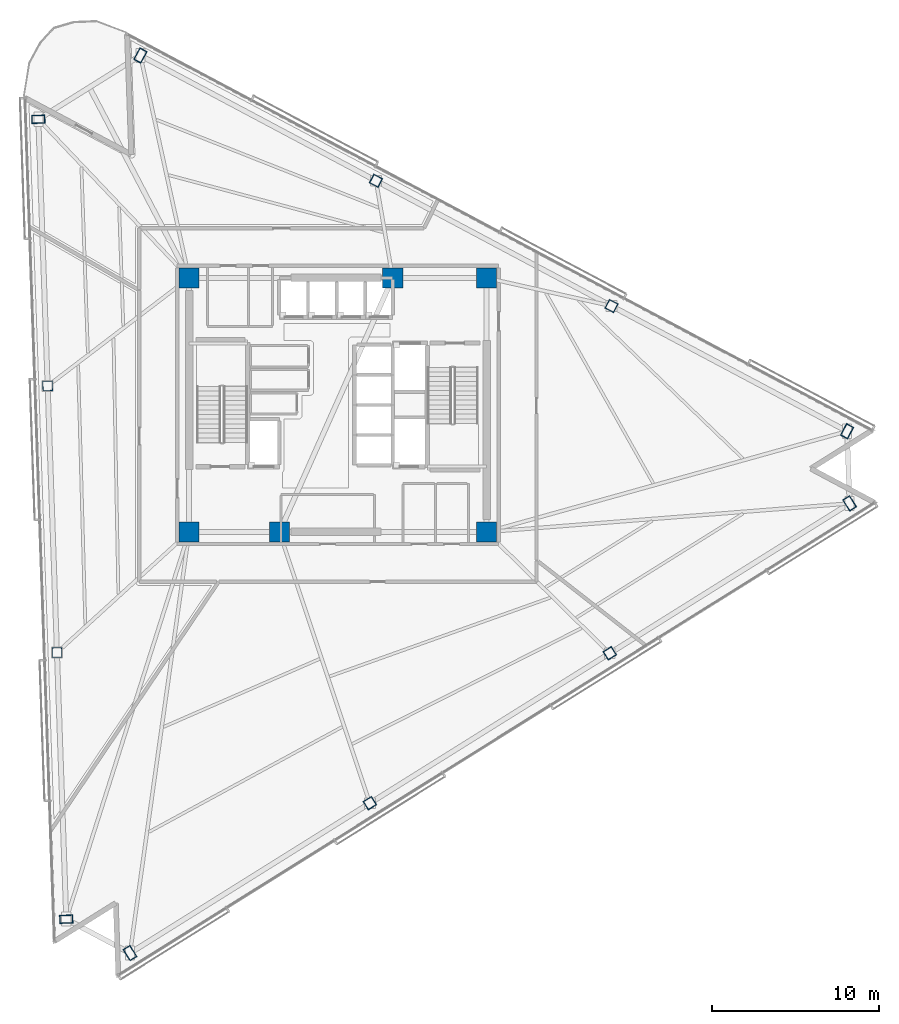
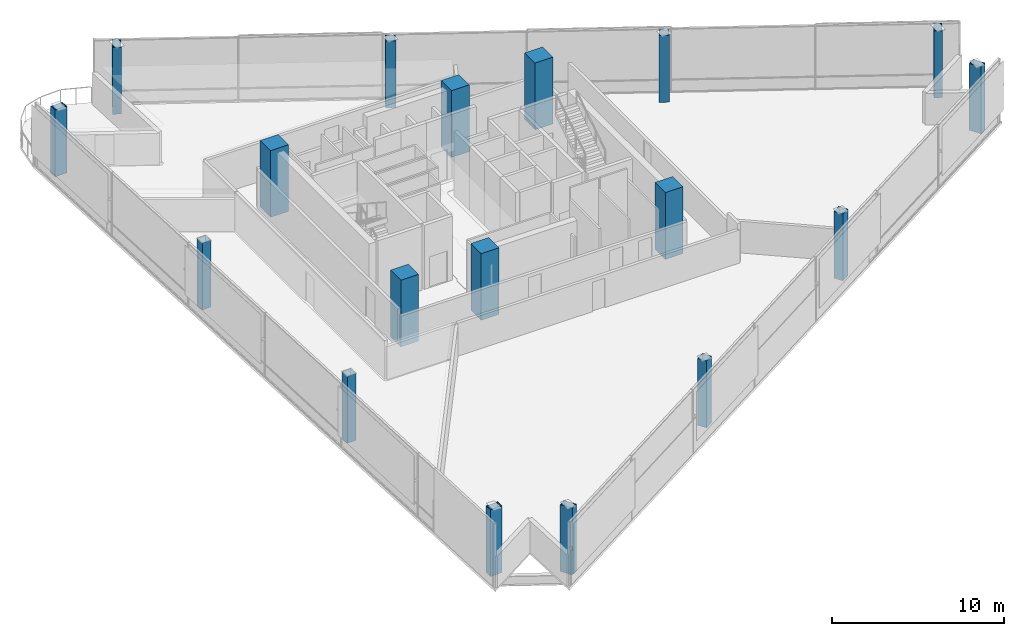
# One storey, part 1 of 19: 18 columns.
"""IFC4 building model written with IfcOpenShell, lengths in metres."""

from ifc_helpers import new_model, si_unit, direction, frame, origin, origin_2d, place, context, subcontext, project, spatial, rectangle, hollow_rectangle, extrude, material, material_profile, profile_set, type_object, element, save


model = new_model("IFC4")

# Units and contexts
model_context = context("Model", 3, precision=1e-05, world=origin(), true_north=direction((0.0, 1.0)))
body_context = subcontext(model_context, "Body", "Model", "MODEL_VIEW")
ifc_project = project(units=[si_unit("LENGTHUNIT", "METRE"), si_unit("AREAUNIT", "SQUARE_METRE"), si_unit("VOLUMEUNIT", "CUBIC_METRE"), si_unit("PLANEANGLEUNIT", "RADIAN"), si_unit("MASSUNIT", "GRAM", prefix="KILO")], contexts=[model_context])

# Site, building, storey
site_placement = place(None, origin())
site = spatial("IfcSite", under=ifc_project, at=site_placement, CompositionType="ELEMENT")
building_placement = place(site_placement, origin())
building = spatial("IfcBuilding", under=site, at=building_placement, Name="Tharavind Bronze Gate", CompositionType="ELEMENT")
storey_placement = place(building_placement, frame((0.0, 0.0, 160.39990234375)))
storey = spatial("IfcBuildingStorey", under=building, at=storey_placement, Name="L41", CompositionType="ELEMENT", Elevation=160.39990234375)

# Columns
ifc_material_1 = material(Name="Steel S460", Category="steel")
ifc_material_profile_1 = material_profile(ifc_material_1, hollow_rectangle(XDim=0.5, YDim=0.800048828125, WallThickness=0.0400390625, at=origin_2d()), Name="RHS800X500X40")
ifc_profile_set_1 = profile_set([ifc_material_profile_1], Name="Steel S460")
column_type_1 = type_object("IfcColumnType", Name="CORNER NOTCH COLUMN RHS800X500", PredefinedType="COLUMN", material=ifc_profile_set_1)
for number, where, z_axis, x_axis, name in (
    (1, (-17.9248046875, 17.09228515625, 0.0), (0.0, 0.0, 1.0), (-0.034899496703, 0.999390827019, 0.0), "L41 perimeter column S1C1"),
    (2, (-16.253662109375, -30.767578125, 0.0), (0.0, 0.0, 1.0), (-0.034899496703, 0.999390827019, 0.0), "L41 perimeter column S1C4"),
    (3, (-12.439208984375, -32.7958984375, 0.0), (0.0, 0.0, 1.0), (0.848047171272, 0.529920744356, 0.0), "L41 perimeter column S2C1"),
    (4, (30.615478515625, -5.89208984375, 0.0), (0.0, 0.0, 1.0), (0.848047171272, 0.529920744356, 0.0), "L41 perimeter column S2C4"),
    (5, (30.46484375, -1.57470703125, 0.0), (0.0, 0.0, 1.0), (-0.88294841224, 0.469470021751, 0.0), "L41 perimeter column S3C1"),
    (6, (-11.819091796875, 20.90771484375, 0.0), (0.0, 0.0, 1.0), (-0.88294841224, 0.469470021751, 0.0), "L41 perimeter column S3C4"),
):
    element("IfcColumn", number, at=place(storey_placement, frame(where, z_axis=z_axis, x_axis=x_axis)), inside=storey, type_object=column_type_1, Name=name, PredefinedType="COLUMN", context=body_context, shape_type="SweptSolid", body=[
        extrude(hollow_rectangle(XDim=0.5, YDim=0.800048828125, WallThickness=0.0400390625, at=origin_2d()), origin(), (0.0, 0.0, 1.0), 4.75),
    ])
ifc_material_2 = material(Name="Concrete C60/75", Category="concrete")
ifc_material_profile_2 = material_profile(ifc_material_2, rectangle(XDim=1.199951171875, YDim=1.199951171875, at=origin_2d()), Name="RCCOL1200")
ifc_profile_set_2 = profile_set([ifc_material_profile_2], Name="Concrete C60/75")
column_type_2 = type_object("IfcColumnType", Name="MEGA CORE COLUMN 1200", PredefinedType="COLUMN", material=ifc_profile_set_2)
for number, where, z_axis, x_axis, name in (
    (7, (-8.89990234375, -7.60009765625, 0.0), (0.0, 0.0, 1.0), (1.0, 0.0, 0.0), "L41 core mega column MC1"),
    (8, (-3.5, -7.60009765625, 0.0), (0.0, 0.0, 1.0), (1.0, 0.0, 0.0), "L41 core mega column MC2"),
    (9, (8.89990234375, -7.60009765625, 0.0), (0.0, 0.0, 1.0), (1.0, 0.0, 0.0), "L41 core mega column MC3"),
    (10, (8.89990234375, 7.60009765625, 0.0), (0.0, 0.0, 1.0), (1.0, 0.0, 0.0), "L41 core mega column MC4"),
    (11, (3.280029296875, 7.60009765625, 0.0), (0.0, 0.0, 1.0), (1.0, 0.0, 0.0), "L41 core mega column MC5"),
    (12, (-8.89990234375, 7.60009765625, 0.0), (0.0, 0.0, 1.0), (1.0, 0.0, 0.0), "L41 core mega column MC6"),
):
    element("IfcColumn", number, at=place(storey_placement, frame(where, z_axis=z_axis, x_axis=x_axis)), inside=storey, type_object=column_type_2, Name=name, PredefinedType="COLUMN", context=body_context, shape_type="SweptSolid", body=[
        extrude(rectangle(XDim=1.199951171875, YDim=1.199951171875, at=origin_2d()), origin(), (0.0, 0.0, 1.0), 4.75),
    ])
ifc_material_profile_3 = material_profile(ifc_material_1, hollow_rectangle(XDim=0.60009765625, YDim=0.60009765625, WallThickness=0.035888671875, at=origin_2d()), Name="SHS600X36")
ifc_profile_set_3 = profile_set([ifc_material_profile_3], Name="Steel S460")
column_type_3 = type_object("IfcColumnType", Name="PERIMETER BOX COLUMN SHS600", PredefinedType="COLUMN", material=ifc_profile_set_3)
for number, where, z_axis, x_axis, name in (
    (13, (-17.367919921875, 1.138916015625, 0.0), (0.0, 0.0, 1.0), (-0.034899496703, 0.999390827019, 0.0), "L41 perimeter column S1C2"),
    (14, (-16.810791015625, -14.814208984375, 0.0), (0.0, 0.0, 1.0), (-0.034899496703, 0.999390827019, 0.0), "L41 perimeter column S1C3"),
    (15, (1.912353515625, -23.827880859375, 0.0), (0.0, 0.0, 1.0), (0.848047171272, 0.529920744356, 0.0), "L41 perimeter column S2C2"),
    (16, (16.263916015625, -14.860107421875, 0.0), (0.0, 0.0, 1.0), (0.848047171272, 0.529920744356, 0.0), "L41 perimeter column S2C3"),
    (17, (16.3701171875, 5.91943359375, 0.0), (0.0, 0.0, 1.0), (-0.88294841224, 0.469470021751, 0.0), "L41 perimeter column S3C2"),
    (18, (2.275634765625, 13.41357421875, 0.0), (0.0, 0.0, 1.0), (-0.88294841224, 0.469470021751, 0.0), "L41 perimeter column S3C3"),
):
    element("IfcColumn", number, at=place(storey_placement, frame(where, z_axis=z_axis, x_axis=x_axis)), inside=storey, type_object=column_type_3, Name=name, PredefinedType="COLUMN", context=body_context, shape_type="SweptSolid", body=[
        extrude(hollow_rectangle(XDim=0.60009765625, YDim=0.60009765625, WallThickness=0.035888671875, at=origin_2d()), origin(), (0.0, 0.0, 1.0), 4.75),
    ])

save(model, "model.ifc")
